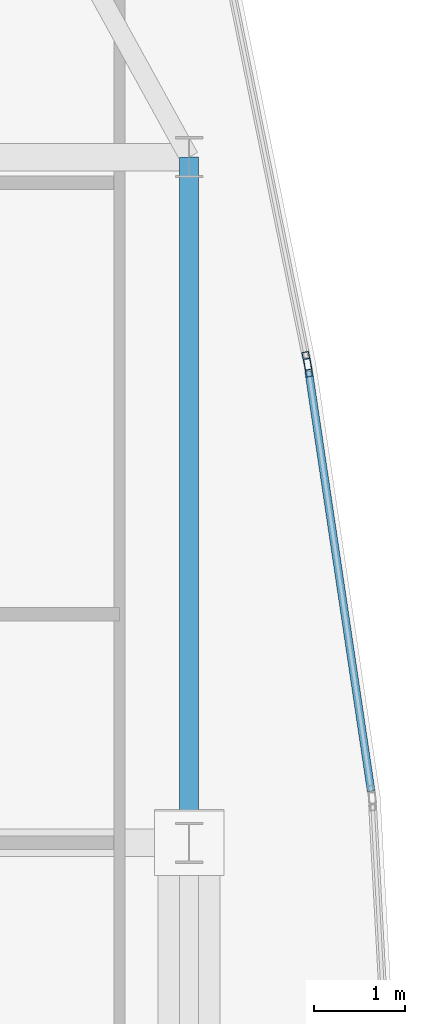
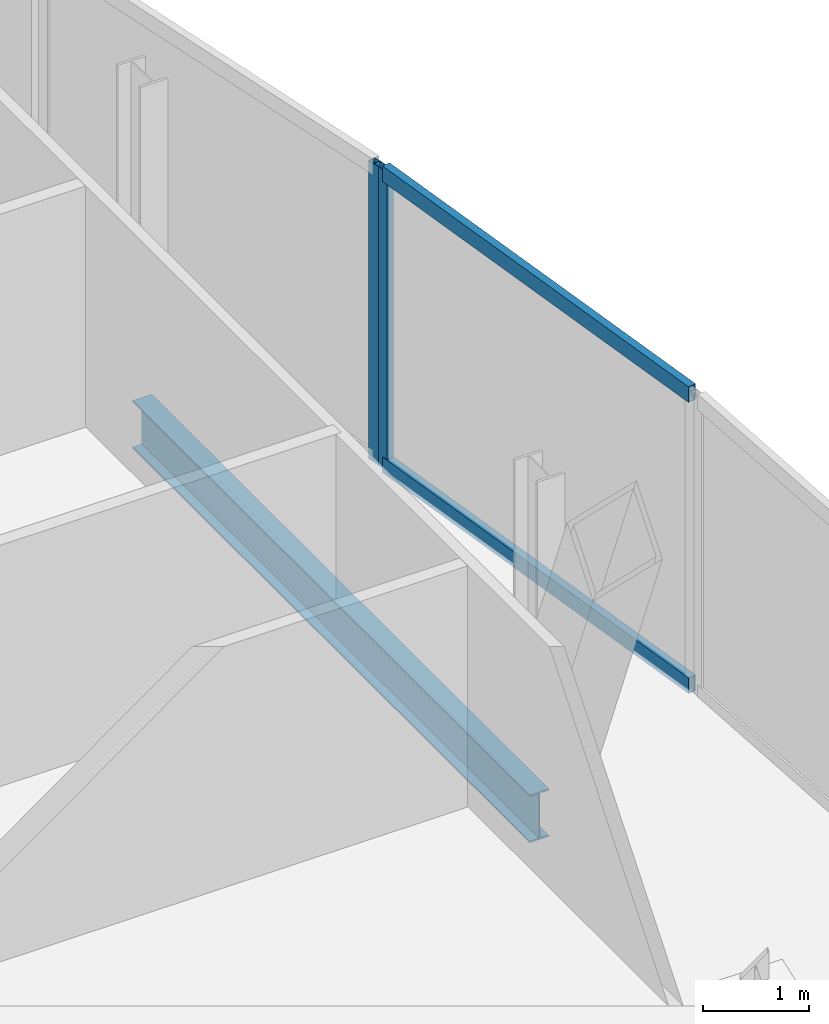
# One storey, part 20 of 31: 4 members, 1 beam, 2 elements without a shape of their own.
"""IFC4 building model written with IfcOpenShell, lengths in metres."""

from ifc_helpers import new_model, si_unit, direction, frame, origin, origin_2d, place, context, subcontext, project, spatial, hollow_rectangle, i_section, extrude, material, material_profile, profile_set, type_object, element, aggregate, save


model = new_model("IFC4")

# Units and contexts
model_context = context("Model", 3, precision=1e-05, world=origin(), true_north=direction((0.0, 1.0)))
body_context = subcontext(model_context, "Body", "Model", "MODEL_VIEW")
ifc_project = project(units=[si_unit("LENGTHUNIT", "METRE"), si_unit("AREAUNIT", "SQUARE_METRE"), si_unit("VOLUMEUNIT", "CUBIC_METRE"), si_unit("PLANEANGLEUNIT", "RADIAN"), si_unit("MASSUNIT", "GRAM", prefix="KILO")], contexts=[model_context])

# Site, building, storey
site_placement = place(None, origin())
site = spatial("IfcSite", under=ifc_project, at=site_placement, CompositionType="ELEMENT")
building_placement = place(site_placement, origin())
building = spatial("IfcBuilding", under=site, at=building_placement, Name="Khoronbel Lancet Exchange", CompositionType="ELEMENT")
storey_placement = place(building_placement, frame((0.0, 0.0, 273.39990234375)))
storey = spatial("IfcBuildingStorey", under=building, at=storey_placement, Name="L70", CompositionType="ELEMENT", Elevation=273.39990234375)

# Beam
ifc_material_1 = material(Name="Steel S355", Category="steel")
ifc_material_profile_1 = material_profile(ifc_material_1, i_section(OverallWidth=0.2099609375, OverallDepth=0.550048828125, WebThickness=0.010986328125, FlangeThickness=0.01708984375, at=origin_2d()), Name="IPE 550")
ifc_profile_set_1 = profile_set([ifc_material_profile_1], Name="Steel S355")
beam_type = type_object("IfcBeamType", Name="BM-BSP3", PredefinedType="SPANDREL", material=ifc_profile_set_1)
beam_placement = place(storey_placement, frame((63.6298828125, 35.699951171875, -0.434814453125), z_axis=(0.0, 1.0, 0.0), x_axis=(-1.0, 0.0, 0.0)))
element("IfcBeam", 1, at=beam_placement, inside=storey, type_object=beam_type, Name="Level L70 perimeter spandrel beam SP14", PredefinedType="SPANDREL", context=body_context, shape_type="SweptSolid", body=[
    extrude(i_section(OverallWidth=0.2099609375, OverallDepth=0.550048828125, WebThickness=0.010986328125, FlangeThickness=0.01708984375, at=origin_2d()), origin(), (0.0, 0.0, 1.0), 7.5),
])

# Curtain wall, member
ifc_material_2 = material(Name="Low-E Solar Control Insulating Glass", Category="glass")
curtain_wall_type = type_object("IfcCurtainWallType", Name="CW-4", PredefinedType="NOTDEFINED", material=ifc_material_2)
curtain_wall_1_placement = place(storey_placement, origin())
curtain_wall_1 = element("IfcCurtainWall", 2, at=curtain_wall_1_placement, inside=storey, type_object=curtain_wall_type, Name="Unitised curtain wall CW-L70-E17", PredefinedType="NOTDEFINED")
ifc_material_3 = material(Name="Bronze-Anodised Aluminium 6063-T6", Category="aluminium")
ifc_material_profile_2 = material_profile(ifc_material_3, hollow_rectangle(XDim=0.074951171875, YDim=0.199951171875, WallThickness=0.0048828125, at=origin_2d()), Name="ALU MULLION 75x200")
ifc_profile_set_2 = profile_set([ifc_material_profile_2], Name="Bronze-Anodised Aluminium 6063-T6")
member_type_1 = type_object("IfcMemberType", Name="MEM-CWM2", PredefinedType="MULLION", material=ifc_profile_set_2)
member_1_placement = place(storey_placement, frame((64.9189453125, 40.97119140625, 0.0), z_axis=(0.0, 0.0, 1.0), x_axis=(0.979973815588, 0.199126393935, 0.0)))
member_1 = element("IfcMember", 3, at=member_1_placement, type_object=member_type_1, Name="CW4 mullion 2", PredefinedType="MULLION", context=body_context, shape_type="SweptSolid", body=[
    extrude(hollow_rectangle(XDim=0.074951171875, YDim=0.199951171875, WallThickness=0.0048828125, at=origin_2d()), origin(), (0.0, 0.0, 1.0), 3.440185546875),
])
aggregate(curtain_wall_1, [member_1])

# Curtain wall, members
curtain_wall_2_placement = place(storey_placement, origin())
curtain_wall_2 = element("IfcCurtainWall", 4, at=curtain_wall_2_placement, inside=storey, type_object=curtain_wall_type, Name="Unitised curtain wall CW-L70-E18", PredefinedType="NOTDEFINED")
member_2_placement = place(storey_placement, frame((64.93212890625, 40.897216796875, 0.0), z_axis=(0.0, 0.0, 1.0), x_axis=(0.989113824461, 0.147152445645, 0.0)))
member_2 = element("IfcMember", 5, at=member_2_placement, type_object=member_type_1, Name="CW4 mullion 1", PredefinedType="MULLION", context=body_context, shape_type="SweptSolid", body=[
    extrude(hollow_rectangle(XDim=0.074951171875, YDim=0.199951171875, WallThickness=0.0048828125, at=origin_2d()), origin(), (0.0, 0.0, 1.0), 3.440185546875),
])
ifc_material_profile_3 = material_profile(ifc_material_3, hollow_rectangle(XDim=0.0849609375, YDim=0.179931640625, WallThickness=0.0048828125, at=origin_2d()), Name="ALU TRANSOM 85x180")
ifc_profile_set_3 = profile_set([ifc_material_profile_3], Name="Bronze-Anodised Aluminium 6063-T6")
member_type_2 = type_object("IfcMemberType", Name="MEM-CWT1", PredefinedType="USERDEFINED", material=ifc_profile_set_3)
member_3_placement = place(storey_placement, frame((64.9375, 40.860107421875, 0.04248046875), z_axis=(0.147150497841, -0.989114114238, 0.0), x_axis=(0.989114114238, 0.147150497841, 0.0)))
member_3 = element("IfcMember", 6, at=member_3_placement, type_object=member_type_2, Name="CW4 transom 1.1", ObjectType="TRANSOM", PredefinedType="USERDEFINED", context=body_context, shape_type="SweptSolid", body=[
    extrude(hollow_rectangle(XDim=0.0849609375, YDim=0.179931640625, WallThickness=0.0048828125, at=origin_2d()), origin(), (0.0, 0.0, 1.0), 4.6455078125),
])
member_4_placement = place(storey_placement, frame((64.9375, 40.860107421875, 3.397705078125), z_axis=(0.147150497841, -0.989114114238, 0.0), x_axis=(0.989114114238, 0.147150497841, 0.0)))
member_4 = element("IfcMember", 7, at=member_4_placement, type_object=member_type_2, Name="CW4 transom 1.2", ObjectType="TRANSOM", PredefinedType="USERDEFINED", context=body_context, shape_type="SweptSolid", body=[
    extrude(hollow_rectangle(XDim=0.0849609375, YDim=0.179931640625, WallThickness=0.0048828125, at=origin_2d()), origin(), (0.0, 0.0, 1.0), 4.6455078125),
])
aggregate(curtain_wall_2, [member_2, member_3, member_4])

save(model, "model.ifc")
